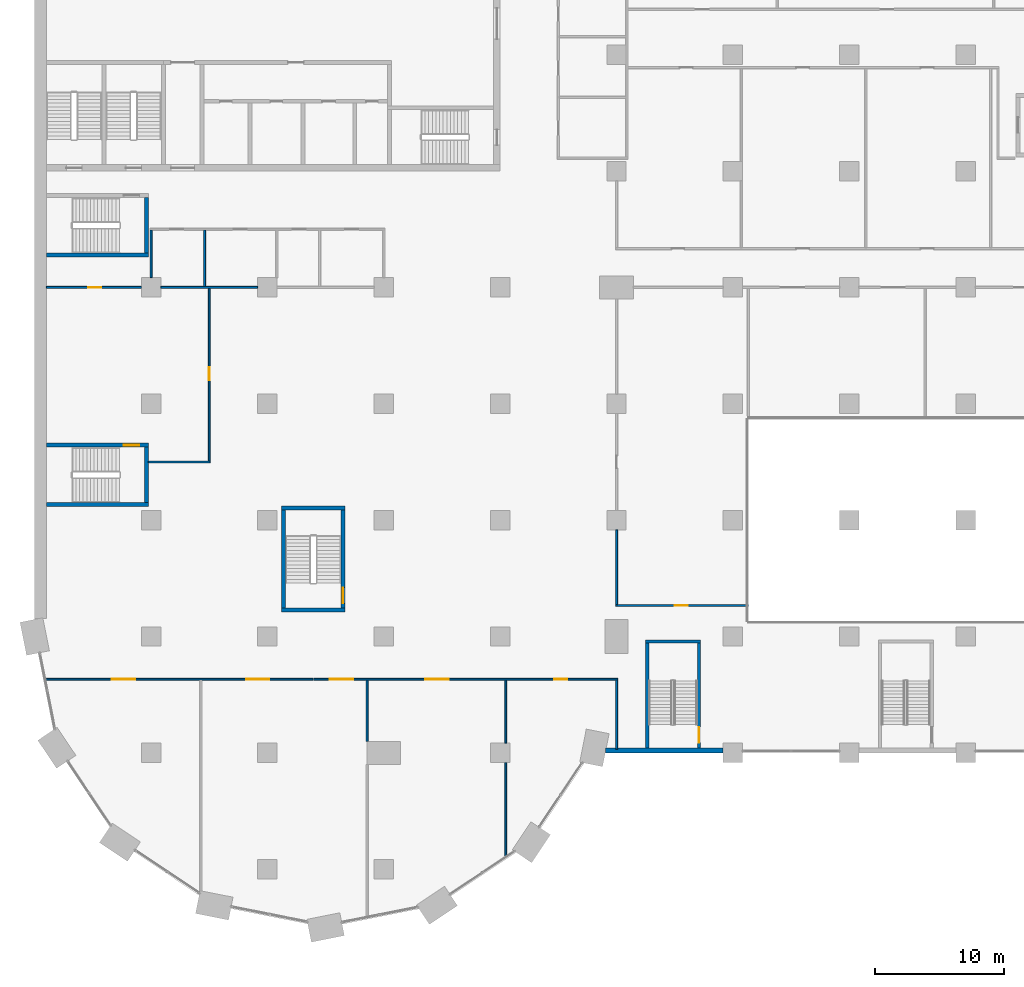
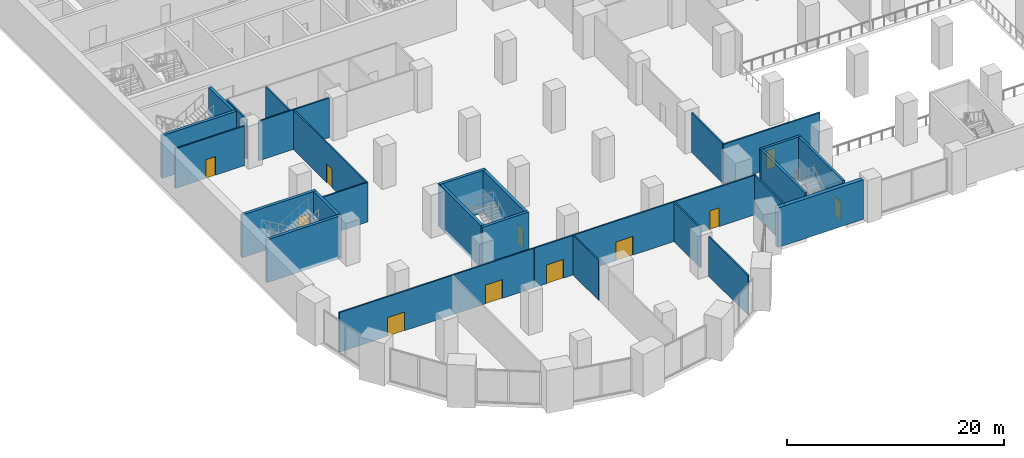
# One storey, part 23 of 49: 27 walls, 11 doors, 11 openings.
"""IFC4 building model written with IfcOpenShell, lengths in metres."""

from ifc_helpers import new_model, si_unit, direction, frame, frame_2d, origin, place, context, subcontext, project, spatial, rectangle, extrude, material, layer, layer_set, type_object, element, fill, save


model = new_model("IFC4")

# Units and contexts
model_context = context("Model", 3, precision=1e-05, world=origin(), true_north=direction((0.0, 1.0)))
body_context = subcontext(model_context, "Body", "Model", "MODEL_VIEW")
ifc_project = project(units=[si_unit("LENGTHUNIT", "METRE"), si_unit("AREAUNIT", "SQUARE_METRE"), si_unit("VOLUMEUNIT", "CUBIC_METRE"), si_unit("PLANEANGLEUNIT", "RADIAN"), si_unit("MASSUNIT", "GRAM", prefix="KILO")], contexts=[model_context])

# Site, building, storey
site_placement = place(None, origin())
site = spatial("IfcSite", under=ifc_project, at=site_placement, CompositionType="ELEMENT")
building_placement = place(site_placement, origin())
building = spatial("IfcBuilding", under=site, at=building_placement, Name="Hunhe Ridgeline Campus", CompositionType="ELEMENT")
storey_placement = place(building_placement, frame((0.0, 0.0, 21.60009765625)))
storey = spatial("IfcBuildingStorey", under=building, at=storey_placement, Name="L04", CompositionType="ELEMENT", Elevation=21.60009765625)

# Wall, opening, door
ifc_material_1 = material(Name="Plastered blockwork", Category="masonry")
ifc_layer_1 = layer(ifc_material_1, 0.14990234375)
ifc_layer_set_1 = layer_set([ifc_layer_1], Name="Blockwork partition 150")
wall_type_1 = type_object("IfcWallType", Name="Blockwork partition 150", PredefinedType="PARTITIONING", material=ifc_layer_set_1)
wall_1_placement = place(storey_placement, frame((55.199951171875, 29.39990234375, 0.0), z_axis=(0.0, 0.0, 1.0), x_axis=(-1.0, 0.0, 0.0)))
wall_1 = element("IfcWall", 1, at=wall_1_placement, inside=storey, type_object=wall_type_1, Name="L04 partition", PredefinedType="PARTITIONING", context=body_context, shape_type="SweptSolid", body=[
    extrude(rectangle(XDim=10.27490234375, YDim=0.14990234375, at=frame_2d((5.137451171875, 0.0))), origin(), (0.0, 0.0, 1.0), 4.449951171875),
])
opening_1_placement = place(wall_1_placement, frame((4.699951171875, 0.0, 0.0)))
opening_1 = element("IfcOpeningElement", 2, at=opening_1_placement, cuts=wall_1, Name="Opening PD508", PredefinedType="OPENING", context=body_context, shape_type="SweptSolid", body=[
    extrude(rectangle(XDim=1.0, YDim=2.10009765625, at=frame_2d((0.5, 1.050048828125))), frame((0.0, 0.074951171875, 0.0), z_axis=(0.0, -1.0, 0.0), x_axis=(1.0, 0.0, 0.0)), (0.0, 0.0, 1.0), 0.14990234375),
])
ifc_material_2 = material(Name="Timber", Category="wood")
door_type_1 = type_object("IfcDoorType", Name="Podium timber door 1000x2100", OperationType="NOTDEFINED", PredefinedType="DOOR", material=ifc_material_2)
door_1_placement = place(opening_1_placement, origin())
door_1 = element("IfcDoor", 3, at=door_1_placement, inside=storey, type_object=door_type_1, Name="Closed Stacks door", OperationType="SINGLE_SWING_RIGHT", OverallHeight=2.10009765625, OverallWidth=1.0, PredefinedType="DOOR", context=body_context, shape_type="SweptSolid", body=[
    extrude(rectangle(XDim=1.0, YDim=2.10009765625, at=frame_2d((0.5, 1.050048828125))), frame((0.0, 0.02490234375, 0.0), z_axis=(0.0, -1.0, 0.0), x_axis=(1.0, 0.0, 0.0)), (0.0, 0.0, 1.0), 0.050048828125),
])
fill(opening_1, door_1)

# Walls
wall_2_placement = place(storey_placement, frame((45.0, 23.625, 0.0), z_axis=(0.0, 0.0, 1.0), x_axis=(0.0, -1.0, 0.0)))
element("IfcWall", 4, at=wall_2_placement, inside=storey, type_object=wall_type_1, Name="L04 partition", PredefinedType="PARTITIONING", context=body_context, shape_type="SweptSolid", body=[
    extrude(rectangle(XDim=5.324951171875, YDim=0.14990234375, at=frame_2d((2.66259765625, 0.0))), origin(), (0.0, 0.0, 1.0), 4.449951171875),
])
wall_3_placement = place(storey_placement, frame((45.0, 29.47509765625, 0.0), z_axis=(0.0, 0.0, 1.0), x_axis=(0.0, 1.0, 0.0)))
element("IfcWall", 5, at=wall_3_placement, inside=storey, type_object=wall_type_1, Name="L04 partition", PredefinedType="PARTITIONING", context=body_context, shape_type="SweptSolid", body=[
    extrude(rectangle(XDim=5.77490234375, YDim=0.14990234375, at=frame_2d((2.887451171875, 0.0))), origin(), (0.0, 0.0, 1.0), 4.449951171875),
])

# Wall, opening, door
wall_4_placement = place(storey_placement, frame((0.89990234375, 54.0, 0.0), z_axis=(0.0, 0.0, 1.0), x_axis=(1.0, 0.0, 0.0)))
wall_4 = element("IfcWall", 6, at=wall_4_placement, inside=storey, type_object=wall_type_1, Name="L04 partition", PredefinedType="PARTITIONING", context=body_context, shape_type="SweptSolid", body=[
    extrude(rectangle(XDim=7.35009765625, YDim=0.14990234375, at=frame_2d((3.675048828125, 0.0))), origin(), (0.0, 0.0, 1.0), 4.449951171875),
])
opening_2_placement = place(wall_4_placement, frame((3.25, 0.0, 0.0)))
opening_2 = element("IfcOpeningElement", 7, at=opening_2_placement, cuts=wall_4, Name="Opening PD521", PredefinedType="OPENING", context=body_context, shape_type="SweptSolid", body=[
    extrude(rectangle(XDim=1.0, YDim=2.10009765625, at=frame_2d((0.5, 1.050048828125))), frame((0.0, 0.074951171875, 0.0), z_axis=(0.0, -1.0, 0.0), x_axis=(1.0, 0.0, 0.0)), (0.0, 0.0, 1.0), 0.14990234375),
])
door_2_placement = place(opening_2_placement, origin())
door_2 = element("IfcDoor", 8, at=door_2_placement, inside=storey, type_object=door_type_1, Name="Library Staff Room door", OperationType="SINGLE_SWING_RIGHT", OverallHeight=2.10009765625, OverallWidth=1.0, PredefinedType="DOOR", context=body_context, shape_type="SweptSolid", body=[
    extrude(rectangle(XDim=1.0, YDim=2.10009765625, at=frame_2d((0.5, 1.050048828125))), frame((0.0, 0.02490234375, 0.0), z_axis=(0.0, -1.0, 0.0), x_axis=(1.0, 0.0, 0.0)), (0.0, 0.0, 1.0), 0.050048828125),
])
fill(opening_2, door_2)

# Wall
wall_5_placement = place(storey_placement, frame((9.75, 54.0, 0.0), z_axis=(0.0, 0.0, 1.0), x_axis=(1.0, 0.0, 0.0)))
element("IfcWall", 9, at=wall_5_placement, inside=storey, type_object=wall_type_1, Name="L04 partition", PredefinedType="PARTITIONING", context=body_context, shape_type="SweptSolid", body=[
    extrude(rectangle(XDim=7.5, YDim=0.14990234375, at=frame_2d((3.75, 0.0))), origin(), (0.0, 0.0, 1.0), 4.449951171875),
])

# Wall, openings, doors
wall_6_placement = place(storey_placement, frame((0.842041015625, 23.699951171875, 0.0), z_axis=(0.0, 0.0, 1.0), x_axis=(1.0, 0.0, 0.0)))
wall_6 = element("IfcWall", 10, at=wall_6_placement, inside=storey, type_object=wall_type_1, Name="L04 partition", PredefinedType="PARTITIONING", context=body_context, shape_type="SweptSolid", body=[
    extrude(rectangle(XDim=20.677978515625, YDim=0.14990234375, at=frame_2d((10.3388671875, 0.0))), origin(), (0.0, 0.0, 1.0), 4.449951171875),
])
opening_3_placement = place(wall_6_placement, frame((5.1201171875, 0.0, 0.0)))
opening_3 = element("IfcOpeningElement", 11, at=opening_3_placement, cuts=wall_6, Name="Opening PD515", PredefinedType="OPENING", context=body_context, shape_type="SweptSolid", body=[
    extrude(rectangle(XDim=1.800048828125, YDim=2.10009765625, at=frame_2d((0.89990234375, 1.050048828125))), frame((0.0, 0.074951171875, 0.0), z_axis=(0.0, -1.0, 0.0), x_axis=(1.0, 0.0, 0.0)), (0.0, 0.0, 1.0), 0.14990234375),
])
opening_4_placement = place(wall_6_placement, frame((15.514892578125, 0.0, 0.0)))
opening_4 = element("IfcOpeningElement", 12, at=opening_4_placement, cuts=wall_6, Name="Opening PD516", PredefinedType="OPENING", context=body_context, shape_type="SweptSolid", body=[
    extrude(rectangle(XDim=1.800048828125, YDim=2.10009765625, at=frame_2d((0.89990234375, 1.050048828125))), frame((0.0, 0.074951171875, 0.0), z_axis=(0.0, -1.0, 0.0), x_axis=(1.0, 0.0, 0.0)), (0.0, 0.0, 1.0), 0.14990234375),
])
door_type_2 = type_object("IfcDoorType", Name="Podium timber double door 1800x2100", OperationType="NOTDEFINED", PredefinedType="DOOR", material=ifc_material_2)
door_3_placement = place(opening_3_placement, origin())
door_3 = element("IfcDoor", 13, at=door_3_placement, inside=storey, type_object=door_type_2, Name="Study Carrels door", OperationType="DOUBLE_DOOR_SINGLE_SWING", OverallHeight=2.10009765625, OverallWidth=1.800048828125, PredefinedType="DOOR", context=body_context, shape_type="SweptSolid", body=[
    extrude(rectangle(XDim=1.800048828125, YDim=2.10009765625, at=frame_2d((0.89990234375, 1.050048828125))), frame((0.0, 0.02490234375, 0.0), z_axis=(0.0, -1.0, 0.0), x_axis=(1.0, 0.0, 0.0)), (0.0, 0.0, 1.0), 0.050048828125),
])
fill(opening_3, door_3)
door_4_placement = place(opening_4_placement, origin())
door_4 = element("IfcDoor", 14, at=door_4_placement, inside=storey, type_object=door_type_2, Name="Seminar Study Rooms door", OperationType="DOUBLE_DOOR_SINGLE_SWING", OverallHeight=2.10009765625, OverallWidth=1.800048828125, PredefinedType="DOOR", context=body_context, shape_type="SweptSolid", body=[
    extrude(rectangle(XDim=1.800048828125, YDim=2.10009765625, at=frame_2d((0.89990234375, 1.050048828125))), frame((0.0, 0.02490234375, 0.0), z_axis=(0.0, -1.0, 0.0), x_axis=(1.0, 0.0, 0.0)), (0.0, 0.0, 1.0), 0.050048828125),
])
fill(opening_4, door_4)

wall_7_placement = place(storey_placement, frame((21.580078125, 23.699951171875, 0.0), z_axis=(0.0, 0.0, 1.0), x_axis=(1.0, 0.0, 0.0)))
wall_7 = element("IfcWall", 15, at=wall_7_placement, inside=storey, type_object=wall_type_1, Name="L04 partition", PredefinedType="PARTITIONING", context=body_context, shape_type="SweptSolid", body=[
    extrude(rectangle(XDim=23.494873046875, YDim=0.14990234375, at=frame_2d((11.74755859375, 0.0))), origin(), (0.0, 0.0, 1.0), 4.449951171875),
])
opening_5_placement = place(wall_7_placement, frame((1.25, 0.0, 0.0)))
opening_5 = element("IfcOpeningElement", 16, at=opening_5_placement, cuts=wall_7, Name="Opening PD517", PredefinedType="OPENING", context=body_context, shape_type="SweptSolid", body=[
    extrude(rectangle(XDim=1.800048828125, YDim=2.10009765625, at=frame_2d((0.89990234375, 1.050048828125))), frame((0.0, 0.074951171875, 0.0), z_axis=(0.0, -1.0, 0.0), x_axis=(1.0, 0.0, 0.0)), (0.0, 0.0, 1.0), 0.14990234375),
])
opening_6_placement = place(wall_7_placement, frame((8.634033203125, 0.0, 0.0)))
opening_6 = element("IfcOpeningElement", 17, at=opening_6_placement, cuts=wall_7, Name="Opening PD518", PredefinedType="OPENING", context=body_context, shape_type="SweptSolid", body=[
    extrude(rectangle(XDim=1.800048828125, YDim=2.10009765625, at=frame_2d((0.89990234375, 1.050048828125))), frame((0.0, 0.074951171875, 0.0), z_axis=(0.0, -1.0, 0.0), x_axis=(1.0, 0.0, 0.0)), (0.0, 0.0, 1.0), 0.14990234375),
])
opening_7_placement = place(wall_7_placement, frame((18.59912109375, 0.0, 0.0)))
opening_7 = element("IfcOpeningElement", 18, at=opening_7_placement, cuts=wall_7, Name="Opening PD519", PredefinedType="OPENING", context=body_context, shape_type="SweptSolid", body=[
    extrude(rectangle(XDim=1.0, YDim=2.10009765625, at=frame_2d((0.5, 1.050048828125))), frame((0.0, 0.074951171875, 0.0), z_axis=(0.0, -1.0, 0.0), x_axis=(1.0, 0.0, 0.0)), (0.0, 0.0, 1.0), 0.14990234375),
])
door_5_placement = place(opening_7_placement, origin())
door_5 = element("IfcDoor", 19, at=door_5_placement, inside=storey, type_object=door_type_1, Name="Librarians Office door", OperationType="SINGLE_SWING_RIGHT", OverallHeight=2.10009765625, OverallWidth=1.0, PredefinedType="DOOR", context=body_context, shape_type="SweptSolid", body=[
    extrude(rectangle(XDim=1.0, YDim=2.10009765625, at=frame_2d((0.5, 1.050048828125))), frame((0.0, 0.02490234375, 0.0), z_axis=(0.0, -1.0, 0.0), x_axis=(1.0, 0.0, 0.0)), (0.0, 0.0, 1.0), 0.050048828125),
])
fill(opening_7, door_5)
door_6_placement = place(opening_5_placement, origin())
door_6 = element("IfcDoor", 20, at=door_6_placement, inside=storey, type_object=door_type_2, Name="Seminar Study Rooms door", OperationType="DOUBLE_DOOR_SINGLE_SWING", OverallHeight=2.10009765625, OverallWidth=1.800048828125, PredefinedType="DOOR", context=body_context, shape_type="SweptSolid", body=[
    extrude(rectangle(XDim=1.800048828125, YDim=2.10009765625, at=frame_2d((0.89990234375, 1.050048828125))), frame((0.0, 0.02490234375, 0.0), z_axis=(0.0, -1.0, 0.0), x_axis=(1.0, 0.0, 0.0)), (0.0, 0.0, 1.0), 0.050048828125),
])
fill(opening_5, door_6)
door_7_placement = place(opening_6_placement, origin())
door_7 = element("IfcDoor", 21, at=door_7_placement, inside=storey, type_object=door_type_2, Name="Group Study Room door", OperationType="DOUBLE_DOOR_SINGLE_SWING", OverallHeight=2.10009765625, OverallWidth=1.800048828125, PredefinedType="DOOR", context=body_context, shape_type="SweptSolid", body=[
    extrude(rectangle(XDim=1.800048828125, YDim=2.10009765625, at=frame_2d((0.89990234375, 1.050048828125))), frame((0.0, 0.02490234375, 0.0), z_axis=(0.0, -1.0, 0.0), x_axis=(1.0, 0.0, 0.0)), (0.0, 0.0, 1.0), 0.050048828125),
])
fill(opening_6, door_7)

# Walls
wall_8_placement = place(storey_placement, frame((25.714111328125, 18.89990234375, 0.0), z_axis=(0.0, 0.0, 1.0), x_axis=(0.0, 1.0, 0.0)))
element("IfcWall", 22, at=wall_8_placement, inside=storey, type_object=wall_type_1, Name="L04 partition", PredefinedType="PARTITIONING", context=body_context, shape_type="SweptSolid", body=[
    extrude(rectangle(XDim=4.72509765625, YDim=0.14990234375, at=frame_2d((2.362548828125, 0.0))), origin(), (0.0, 0.0, 1.0), 4.449951171875),
])
wall_9_placement = place(storey_placement, frame((36.428955078125, 10.007080078125, 0.0), z_axis=(0.0, 0.0, 1.0), x_axis=(0.0, 1.0, 0.0)))
element("IfcWall", 23, at=wall_9_placement, inside=storey, type_object=wall_type_1, Name="L04 partition", PredefinedType="PARTITIONING", context=body_context, shape_type="SweptSolid", body=[
    extrude(rectangle(XDim=7.242919921875, YDim=0.14990234375, at=frame_2d((3.62158203125, 0.0))), origin(), (0.0, 0.0, 1.0), 4.449951171875),
])
wall_10_placement = place(storey_placement, frame((36.428955078125, 18.75, 0.0), z_axis=(0.0, 0.0, 1.0), x_axis=(0.0, 1.0, 0.0)))
element("IfcWall", 24, at=wall_10_placement, inside=storey, type_object=wall_type_1, Name="L04 partition", PredefinedType="PARTITIONING", context=body_context, shape_type="SweptSolid", body=[
    extrude(rectangle(XDim=4.875, YDim=0.14990234375, at=frame_2d((2.4375, 0.0))), origin(), (0.0, 0.0, 1.0), 4.449951171875),
])

# Wall, opening, door
wall_11_placement = place(storey_placement, frame((13.5, 53.925048828125, 0.0), z_axis=(0.0, 0.0, 1.0), x_axis=(0.0, -1.0, 0.0)))
wall_11 = element("IfcWall", 25, at=wall_11_placement, inside=storey, type_object=wall_type_1, Name="L04 partition", PredefinedType="PARTITIONING", context=body_context, shape_type="SweptSolid", body=[
    extrude(rectangle(XDim=13.35009765625, YDim=0.14990234375, at=frame_2d((6.675048828125, 0.0))), origin(), (0.0, 0.0, 1.0), 4.449951171875),
])
opening_8_placement = place(wall_11_placement, frame((6.10009765625, 0.0, 0.0)))
opening_8 = element("IfcOpeningElement", 26, at=opening_8_placement, cuts=wall_11, Name="Opening PD520", PredefinedType="OPENING", context=body_context, shape_type="SweptSolid", body=[
    extrude(rectangle(XDim=1.0, YDim=2.10009765625, at=frame_2d((0.5, 1.050048828125))), frame((0.0, 0.074951171875, 0.0), z_axis=(0.0, -1.0, 0.0), x_axis=(1.0, 0.0, 0.0)), (0.0, 0.0, 1.0), 0.14990234375),
])
door_8_placement = place(opening_8_placement, origin())
door_8 = element("IfcDoor", 27, at=door_8_placement, inside=storey, type_object=door_type_1, Name="Library Staff Room door", OperationType="SINGLE_SWING_LEFT", OverallHeight=2.10009765625, OverallWidth=1.0, PredefinedType="DOOR", context=body_context, shape_type="SweptSolid", body=[
    extrude(rectangle(XDim=1.0, YDim=2.10009765625, at=frame_2d((0.5, 1.050048828125))), frame((0.0, 0.02490234375, 0.0), z_axis=(0.0, -1.0, 0.0), x_axis=(1.0, 0.0, 0.0)), (0.0, 0.0, 1.0), 0.050048828125),
])
fill(opening_8, door_8)

# Walls
wall_12_placement = place(storey_placement, frame((13.574951171875, 40.5, 0.0), z_axis=(0.0, 0.0, 1.0), x_axis=(-1.0, 0.0, 0.0)))
element("IfcWall", 28, at=wall_12_placement, inside=storey, type_object=wall_type_1, Name="L04 partition", PredefinedType="PARTITIONING", context=body_context, shape_type="SweptSolid", body=[
    extrude(rectangle(XDim=4.77490234375, YDim=0.14990234375, at=frame_2d((2.387451171875, 0.0))), origin(), (0.0, 0.0, 1.0), 4.449951171875),
])
wall_13_placement = place(storey_placement, frame((13.137939453125, 54.074951171875, 0.0), z_axis=(0.0, 0.0, 1.0), x_axis=(0.0, 1.0, 0.0)))
element("IfcWall", 29, at=wall_13_placement, inside=storey, type_object=wall_type_1, Name="L04 partition", PredefinedType="PARTITIONING", context=body_context, shape_type="SweptSolid", body=[
    extrude(rectangle(XDim=4.35009765625, YDim=0.14990234375, at=frame_2d((2.175048828125, 0.0))), origin(), (0.0, 0.0, 1.0), 4.449951171875),
])
wall_14_placement = place(storey_placement, frame((9.0, 54.75, 0.0), z_axis=(0.0, 0.0, 1.0), x_axis=(0.0, 1.0, 0.0)))
element("IfcWall", 30, at=wall_14_placement, inside=storey, type_object=wall_type_1, Name="L04 partition", PredefinedType="PARTITIONING", context=body_context, shape_type="SweptSolid", body=[
    extrude(rectangle(XDim=3.675048828125, YDim=0.14990234375, at=frame_2d((1.83740234375, 0.0))), origin(), (0.0, 0.0, 1.0), 4.449951171875),
])
ifc_material_3 = material(Name="Concrete C40", Category="concrete")
ifc_layer_2 = layer(ifc_material_3, 0.39990234375)
ifc_layer_set_2 = layer_set([ifc_layer_2], Name="Stair shaft facade wall 400 C40")
wall_type_2 = type_object("IfcWallType", Name="Stair shaft facade wall 400 C40", PredefinedType="SOLIDWALL", material=ifc_layer_set_2)
wall_15_placement = place(storey_placement, frame((53.25, 18.199951171875, 0.0), z_axis=(0.0, 0.0, 1.0), x_axis=(-1.0, 0.0, 0.0)))
element("IfcWall", 31, at=wall_15_placement, inside=storey, type_object=wall_type_2, Name="L04 stair facade wall", PredefinedType="SOLIDWALL", context=body_context, shape_type="SweptSolid", body=[
    extrude(rectangle(XDim=9.0927734375, YDim=0.39990234375, at=frame_2d((4.54638671875, 0.0))), origin(), (0.0, 0.0, 1.0), 4.449951171875),
])
ifc_layer_3 = layer(ifc_material_3, 0.25)
ifc_layer_set_3 = layer_set([ifc_layer_3], Name="Stair shaft wall 250 C40")
wall_type_3 = type_object("IfcWallType", Name="Stair shaft wall 250 C40", PredefinedType="SOLIDWALL", material=ifc_layer_set_3)
wall_16_placement = place(storey_placement, frame((47.375, 18.39990234375, 0.0), z_axis=(0.0, 0.0, 1.0), x_axis=(0.0, 1.0, 0.0)))
element("IfcWall", 32, at=wall_16_placement, inside=storey, type_object=wall_type_3, Name="L04 PS1 shaft wall", PredefinedType="SOLIDWALL", context=body_context, shape_type="SweptSolid", body=[
    extrude(rectangle(XDim=8.10009765625, YDim=0.25, at=frame_2d((4.050048828125, 0.0))), origin(), (0.0, 0.0, 1.0), 4.7998046875),
])

# Wall, opening, door
wall_17_placement = place(storey_placement, frame((51.375, 26.5, 0.0), z_axis=(0.0, 0.0, 1.0), x_axis=(0.0, -1.0, 0.0)))
wall_17 = element("IfcWall", 33, at=wall_17_placement, inside=storey, type_object=wall_type_3, Name="L04 PS1 shaft wall", PredefinedType="SOLIDWALL", context=body_context, shape_type="SweptSolid", body=[
    extrude(rectangle(XDim=8.10009765625, YDim=0.25, at=frame_2d((4.050048828125, 0.0))), origin(), (0.0, 0.0, 1.0), 4.7998046875),
])
opening_9_placement = place(wall_17_placement, frame((6.5, 0.0, 0.0)))
opening_9 = element("IfcOpeningElement", 34, at=opening_9_placement, cuts=wall_17, Name="Opening PD501", PredefinedType="OPENING", context=body_context, shape_type="SweptSolid", body=[
    extrude(rectangle(XDim=1.199951171875, YDim=2.10009765625, at=frame_2d((0.60009765625, 1.050048828125))), frame((0.0, 0.125, 0.0), z_axis=(0.0, -1.0, 0.0), x_axis=(1.0, 0.0, 0.0)), (0.0, 0.0, 1.0), 0.25),
])
ifc_material_4 = material(Name="Steel Q235", Category="steel")
door_type_3 = type_object("IfcDoorType", Name="Podium fire door 1200x2100 FD60", OperationType="NOTDEFINED", PredefinedType="DOOR", material=ifc_material_4)
door_9_placement = place(opening_9_placement, origin())
door_9 = element("IfcDoor", 35, at=door_9_placement, inside=storey, type_object=door_type_3, Name="Stair door PS1", OperationType="SINGLE_SWING_LEFT", OverallHeight=2.10009765625, OverallWidth=1.199951171875, PredefinedType="DOOR", context=body_context, shape_type="SweptSolid", body=[
    extrude(rectangle(XDim=1.199951171875, YDim=2.10009765625, at=frame_2d((0.60009765625, 1.050048828125))), frame((0.0, 0.02490234375, 0.0), z_axis=(0.0, -1.0, 0.0), x_axis=(1.0, 0.0, 0.0)), (0.0, 0.0, 1.0), 0.050048828125),
])
fill(opening_9, door_9)

# Walls
wall_18_placement = place(storey_placement, frame((47.25, 26.625, 0.0), z_axis=(0.0, 0.0, 1.0), x_axis=(1.0, 0.0, 0.0)))
element("IfcWall", 36, at=wall_18_placement, inside=storey, type_object=wall_type_3, Name="L04 PS1 shaft wall", PredefinedType="SOLIDWALL", context=body_context, shape_type="SweptSolid", body=[
    extrude(rectangle(XDim=4.25, YDim=0.25, at=frame_2d((2.125, 0.0))), origin(), (0.0, 0.0, 1.0), 4.7998046875),
])
ifc_material_5 = material(Name="Concrete C80", Category="concrete")
ifc_layer_4 = layer(ifc_material_5, 0.300048828125)
ifc_layer_set_4 = layer_set([ifc_layer_4], Name="Stair wall 300 reinforced concrete C80")
wall_type_4 = type_object("IfcWallType", Name="Stair wall 300 reinforced concrete C80", PredefinedType="SOLIDWALL", material=ifc_layer_set_4)
for number, where, z_axis, x_axis, name in (
    (37, (19.10009765625, 29.050048828125, -0.35009765625), (0.0, 0.0, 1.0), (1.0, 0.0, 0.0), "L04 core wall 1"),
    (38, (19.10009765625, 36.949951171875, -0.35009765625), (0.0, 0.0, 1.0), (1.0, 0.0, 0.0), "L04 core wall 2"),
):
    element("IfcWall", number, at=place(storey_placement, frame(where, z_axis=z_axis, x_axis=x_axis)), inside=storey, type_object=wall_type_4, Name=name, PredefinedType="SOLIDWALL", context=body_context, shape_type="SweptSolid", body=[
        extrude(rectangle(XDim=4.89990234375, YDim=0.300048828125, at=frame_2d((2.449951171875, 0.0))), origin(), (0.0, 0.0, 1.0), 4.800048828125),
    ])
wall_19_placement = place(storey_placement, frame((0.89990234375, 37.199951171875, -0.35009765625), z_axis=(0.0, 0.0, 1.0), x_axis=(1.0, 0.0, 0.0)))
element("IfcWall", 39, at=wall_19_placement, inside=storey, type_object=wall_type_4, Name="L04 core wall 3", PredefinedType="SOLIDWALL", context=body_context, shape_type="SweptSolid", body=[
    extrude(rectangle(XDim=7.900146484375, YDim=0.300048828125, at=frame_2d((3.9501953125, 0.0))), origin(), (0.0, 0.0, 1.0), 4.800048828125),
])

# Wall, opening, door
wall_20_placement = place(storey_placement, frame((0.89990234375, 41.800048828125, -0.35009765625), z_axis=(0.0, 0.0, 1.0), x_axis=(1.0, 0.0, 0.0)))
wall_20 = element("IfcWall", 40, at=wall_20_placement, inside=storey, type_object=wall_type_4, Name="L04 core wall 4", PredefinedType="SOLIDWALL", context=body_context, shape_type="SweptSolid", body=[
    extrude(rectangle(XDim=7.900146484375, YDim=0.300048828125, at=frame_2d((3.9501953125, 0.0))), origin(), (0.0, 0.0, 1.0), 4.800048828125),
])
opening_10_placement = place(wall_20_placement, frame((6.0, 0.0, 0.35009765625)))
opening_10 = element("IfcOpeningElement", 41, at=opening_10_placement, cuts=wall_20, Name="Opening CD21", PredefinedType="OPENING", context=body_context, shape_type="SweptSolid", body=[
    extrude(rectangle(XDim=1.199951171875, YDim=2.10009765625, at=frame_2d((0.60009765625, 1.050048828125))), frame((0.0, 0.14990234375, 0.0), z_axis=(0.0, -1.0, 0.0), x_axis=(1.0, 0.0, 0.0)), (0.0, 0.0, 1.0), 0.300048828125),
])
ifc_material_6 = material(Name="Hollow metal fire door leaf")
door_type_4 = type_object("IfcDoorType", Name="Stair door 1200x2100 FD60", OperationType="SINGLE_SWING_LEFT", PredefinedType="DOOR", material=ifc_material_6)
door_10_placement = place(opening_10_placement, origin())
door_10 = element("IfcDoor", 42, at=door_10_placement, inside=storey, type_object=door_type_4, Name="L04 door W1", OperationType="SINGLE_SWING_LEFT", OverallHeight=2.10009765625, OverallWidth=1.199951171875, PredefinedType="DOOR", context=body_context, shape_type="SweptSolid", body=[
    extrude(rectangle(XDim=1.199951171875, YDim=2.10009765625, at=frame_2d((0.60009765625, 1.050048828125))), frame((0.0, 0.02490234375, 0.0), z_axis=(0.0, -1.0, 0.0), x_axis=(1.0, 0.0, 0.0)), (0.0, 0.0, 1.0), 0.050048828125),
])
fill(opening_10, door_10)

# Walls
wall_21_placement = place(storey_placement, frame((0.89990234375, 56.5, -0.35009765625), z_axis=(0.0, 0.0, 1.0), x_axis=(1.0, 0.0, 0.0)))
element("IfcWall", 43, at=wall_21_placement, inside=storey, type_object=wall_type_4, Name="L04 core wall 5", PredefinedType="SOLIDWALL", context=body_context, shape_type="SweptSolid", body=[
    extrude(rectangle(XDim=7.900146484375, YDim=0.300048828125, at=frame_2d((3.9501953125, 0.0))), origin(), (0.0, 0.0, 1.0), 4.800048828125),
])
wall_22_placement = place(storey_placement, frame((8.64990234375, 37.35009765625, -0.35009765625), z_axis=(0.0, 0.0, 1.0), x_axis=(0.0, 1.0, 0.0)))
element("IfcWall", 44, at=wall_22_placement, inside=storey, type_object=wall_type_4, Name="L04 core wall 39", PredefinedType="SOLIDWALL", context=body_context, shape_type="SweptSolid", body=[
    extrude(rectangle(XDim=4.2998046875, YDim=0.300048828125, at=frame_2d((2.14990234375, 0.0))), origin(), (0.0, 0.0, 1.0), 4.800048828125),
])
wall_23_placement = place(storey_placement, frame((8.64990234375, 56.64990234375, -0.35009765625), z_axis=(0.0, 0.0, 1.0), x_axis=(0.0, 1.0, 0.0)))
element("IfcWall", 45, at=wall_23_placement, inside=storey, type_object=wall_type_4, Name="L04 core wall 40", PredefinedType="SOLIDWALL", context=body_context, shape_type="SweptSolid", body=[
    extrude(rectangle(XDim=4.300048828125, YDim=0.300048828125, at=frame_2d((2.14990234375, 0.0))), origin(), (0.0, 0.0, 1.0), 4.800048828125),
])
wall_24_placement = place(storey_placement, frame((19.25, 29.199951171875, -0.35009765625), z_axis=(0.0, 0.0, 1.0), x_axis=(0.0, 1.0, 0.0)))
element("IfcWall", 46, at=wall_24_placement, inside=storey, type_object=wall_type_4, Name="L04 core wall 50", PredefinedType="SOLIDWALL", context=body_context, shape_type="SweptSolid", body=[
    extrude(rectangle(XDim=7.60009765625, YDim=0.300048828125, at=frame_2d((3.800048828125, 0.0))), origin(), (0.0, 0.0, 1.0), 4.800048828125),
])

# Wall, opening, door
wall_25_placement = place(storey_placement, frame((23.85009765625, 29.199951171875, -0.35009765625), z_axis=(0.0, 0.0, 1.0), x_axis=(0.0, 1.0, 0.0)))
wall_25 = element("IfcWall", 47, at=wall_25_placement, inside=storey, type_object=wall_type_4, Name="L04 core wall 55", PredefinedType="SOLIDWALL", context=body_context, shape_type="SweptSolid", body=[
    extrude(rectangle(XDim=7.60009765625, YDim=0.300048828125, at=frame_2d((3.800048828125, 0.0))), origin(), (0.0, 0.0, 1.0), 4.800048828125),
])
opening_11_placement = place(wall_25_placement, frame((0.375, 0.0, 0.35009765625)))
opening_11 = element("IfcOpeningElement", 48, at=opening_11_placement, cuts=wall_25, Name="Opening CD23", PredefinedType="OPENING", context=body_context, shape_type="SweptSolid", body=[
    extrude(rectangle(XDim=1.199951171875, YDim=2.10009765625, at=frame_2d((0.60009765625, 1.050048828125))), frame((0.0, 0.14990234375, 0.0), z_axis=(0.0, -1.0, 0.0), x_axis=(1.0, 0.0, 0.0)), (0.0, 0.0, 1.0), 0.300048828125),
])
door_11_placement = place(opening_11_placement, frame((1.199951171875, 0.0, 0.0), z_axis=(0.0, 0.0, 1.0), x_axis=(-1.0, 0.0, 0.0)))
door_11 = element("IfcDoor", 49, at=door_11_placement, inside=storey, type_object=door_type_4, Name="L04 door W3", OperationType="SINGLE_SWING_RIGHT", OverallHeight=2.10009765625, OverallWidth=1.199951171875, PredefinedType="DOOR", context=body_context, shape_type="SweptSolid", body=[
    extrude(rectangle(XDim=1.199951171875, YDim=2.10009765625, at=frame_2d((0.60009765625, 1.050048828125))), frame((0.0, 0.02490234375, 0.0), z_axis=(0.0, -1.0, 0.0), x_axis=(1.0, 0.0, 0.0)), (0.0, 0.0, 1.0), 0.050048828125),
])
fill(opening_11, door_11)

save(model, "model.ifc")
